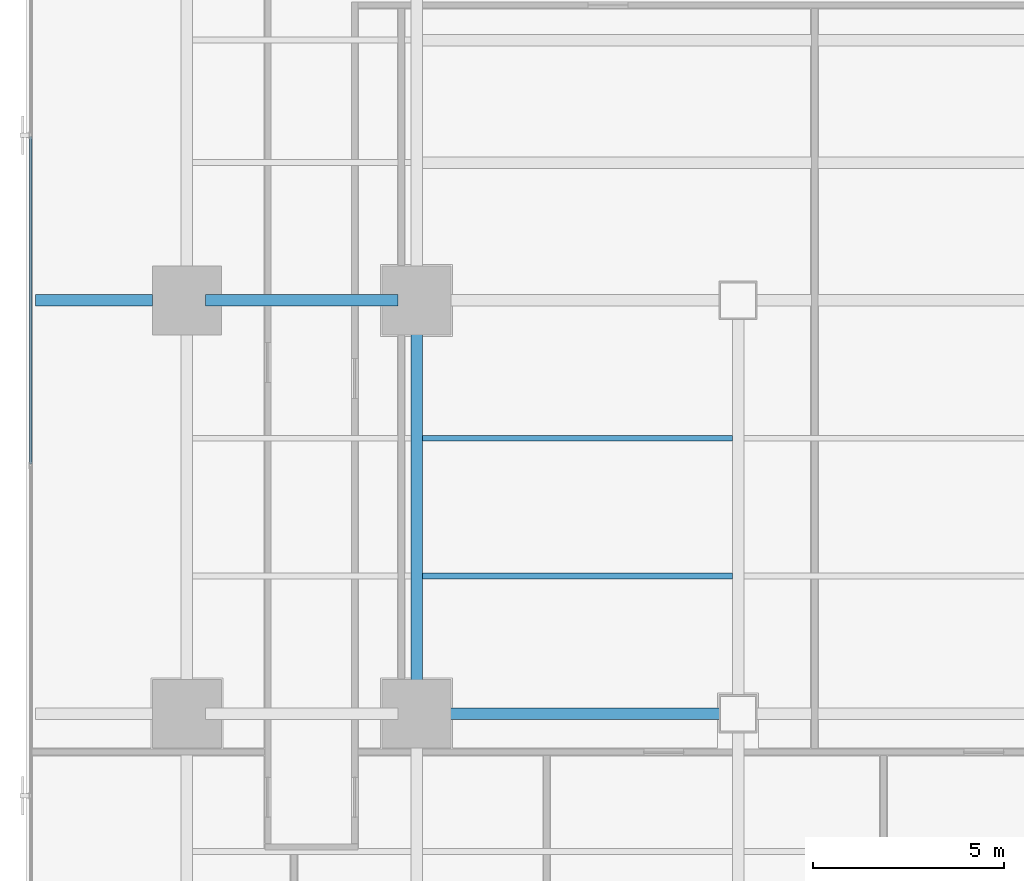
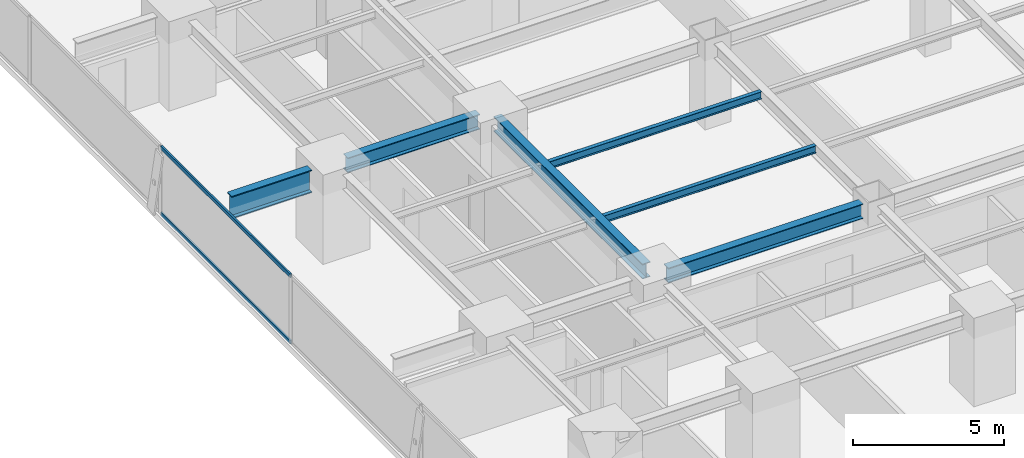
# One storey, part 8 of 34: 6 beams, 2 members, 1 element without a shape of its own.
"""IFC4 building model written with IfcOpenShell, lengths in metres."""

from ifc_helpers import new_model, si_unit, direction, frame, origin, origin_2d, place, context, subcontext, project, spatial, hollow_rectangle, i_section, extrude, source, transform, mapped, material, layer, layer_set, material_profile, profile_set, type_object, element, aggregate, save


model = new_model("IFC4")

# Units and contexts
model_context = context("Model", 3, precision=1e-05, world=origin(), true_north=direction((0.0, 1.0)))
body_context = subcontext(model_context, "Body", "Model", "MODEL_VIEW")
ifc_project = project(units=[si_unit("LENGTHUNIT", "METRE"), si_unit("AREAUNIT", "SQUARE_METRE"), si_unit("VOLUMEUNIT", "CUBIC_METRE"), si_unit("PLANEANGLEUNIT", "RADIAN"), si_unit("MASSUNIT", "GRAM", prefix="KILO")], contexts=[model_context])

# Site, building, storey
site_placement = place(None, origin())
site = spatial("IfcSite", under=ifc_project, at=site_placement, CompositionType="ELEMENT")
building_placement = place(site_placement, origin())
building = spatial("IfcBuilding", under=site, at=building_placement, Name="Sumidabori Civic Tower", CompositionType="ELEMENT")
storey_placement = place(building_placement, frame((0.0, 0.0, 56.0)))
storey = spatial("IfcBuildingStorey", under=building, at=storey_placement, Name="L14", CompositionType="ELEMENT", Elevation=56.0)

# Beams
ifc_material_1 = material(Name="Steel SN490", Category="steel")
ifc_material_profile_1 = material_profile(ifc_material_1, i_section(OverallWidth=0.300048828125, OverallDepth=0.60009765625, WebThickness=0.015380859375, FlangeThickness=0.030029296875, at=origin_2d()), Name="HE 600 B")
ifc_profile_set_1 = profile_set([ifc_material_profile_1], Name="Steel SN490")
beam_type_1 = type_object("IfcBeamType", Name="BM-GIRD-600", PredefinedType="BEAM", material=ifc_profile_set_1)
shared_shape_1 = source(origin(), body_context, "Body", "SweptSolid", [
    extrude(i_section(OverallWidth=0.300048828125, OverallDepth=0.60009765625, WebThickness=0.015380859375, FlangeThickness=0.030029296875, at=origin_2d()), origin(), (0.0, 0.0, 1.0), 5.0400390625),
])
beam_1_placement = place(storey_placement, frame((-22.320068359375, 0.0, 3.06005859375), z_axis=(1.0, 0.0, 0.0), x_axis=(0.0, 1.0, 0.0)))
element("IfcBeam", 1, at=beam_1_placement, inside=storey, type_object=beam_type_1, Name="Primary Girder L14 GX-13", PredefinedType="BEAM", context=body_context, shape_type="MappedRepresentation", body=[
    mapped(shared_shape_1, transform((0.0, 0.0, 0.0), x_axis=(1.0, 0.0, 0.0), y_axis=(0.0, 1.0, 0.0), z_axis=(0.0, 0.0, 1.0), scale=1.0)),
])
shared_shape_2 = source(origin(), body_context, "Body", "SweptSolid", [
    extrude(i_section(OverallWidth=0.300048828125, OverallDepth=0.60009765625, WebThickness=0.015380859375, FlangeThickness=0.030029296875, at=origin_2d()), origin(), (0.0, 0.0, 1.0), 7.440185546875),
])
beam_2_placement = place(storey_placement, frame((-16.320068359375, -10.800048828125, 3.06005859375), z_axis=(1.0, 0.0, 0.0), x_axis=(0.0, 1.0, 0.0)))
element("IfcBeam", 2, at=beam_2_placement, inside=storey, type_object=beam_type_1, Name="Primary Girder L14 GX-08", PredefinedType="BEAM", context=body_context, shape_type="MappedRepresentation", body=[
    mapped(shared_shape_2, transform((0.0, 0.0, 0.0), x_axis=(1.0, 0.0, 0.0), y_axis=(0.0, 1.0, 0.0), z_axis=(0.0, 0.0, 1.0), scale=1.0)),
])
shared_shape_3 = source(origin(), body_context, "Body", "SweptSolid", [
    extrude(i_section(OverallWidth=0.300048828125, OverallDepth=0.60009765625, WebThickness=0.015380859375, FlangeThickness=0.030029296875, at=origin_2d()), origin(), (0.0, 0.0, 1.0), 9.840087890625),
])
beam_3_placement = place(storey_placement, frame((-16.800048828125, -10.320068359375, 3.06005859375), z_axis=(0.0, 1.0, 0.0), x_axis=(-1.0, 0.0, 0.0)))
element("IfcBeam", 3, at=beam_3_placement, inside=storey, type_object=beam_type_1, Name="Primary Girder L14 GY-26", PredefinedType="BEAM", context=body_context, shape_type="MappedRepresentation", body=[
    mapped(shared_shape_3, transform((0.0, 0.0, 0.0), x_axis=(1.0, 0.0, 0.0), y_axis=(0.0, 1.0, 0.0), z_axis=(0.0, 0.0, 1.0), scale=1.0)),
])
ifc_material_profile_2 = material_profile(ifc_material_1, i_section(OverallWidth=0.302001953125, OverallDepth=0.909912109375, WebThickness=0.02099609375, FlangeThickness=0.0400390625, at=origin_2d()), Name="HE 900 M")
ifc_profile_set_2 = profile_set([ifc_material_profile_2], Name="Steel SN490")
beam_type_2 = type_object("IfcBeamType", Name="BM-Z1-EDGE", PredefinedType="SPANDREL", material=ifc_profile_set_2)
shared_shape_4 = source(origin(), body_context, "Body", "SweptSolid", [
    extrude(i_section(OverallWidth=0.302001953125, OverallDepth=0.909912109375, WebThickness=0.02099609375, FlangeThickness=0.0400390625, at=origin_2d()), origin(), (0.0, 0.0, 1.0), 3.050048828125),
])
beam_4_placement = place(storey_placement, frame((-26.75, 0.0, 2.905029296875), z_axis=(1.0, 0.0, 0.0), x_axis=(0.0, 1.0, 0.0)))
element("IfcBeam", 4, at=beam_4_placement, inside=storey, type_object=beam_type_2, Name="Perimeter Overhang Beam L14 W-46", PredefinedType="SPANDREL", context=body_context, shape_type="MappedRepresentation", body=[
    mapped(shared_shape_4, transform((0.0, 0.0, 0.0), x_axis=(1.0, 0.0, 0.0), y_axis=(0.0, 1.0, 0.0), z_axis=(0.0, 0.0, 1.0), scale=1.0)),
])
ifc_material_profile_3 = material_profile(ifc_material_1, i_section(OverallWidth=0.14990234375, OverallDepth=0.300048828125, WebThickness=0.007080078125, FlangeThickness=0.0107421875, at=origin_2d()), Name="IPE 300")
ifc_profile_set_3 = profile_set([ifc_material_profile_3], Name="Steel SN490")
beam_type_3 = type_object("IfcBeamType", Name="BM-JST-300", PredefinedType="JOIST", material=ifc_profile_set_3)
shared_shape_5 = source(origin(), body_context, "Body", "SweptSolid", [
    extrude(i_section(OverallWidth=0.14990234375, OverallDepth=0.300048828125, WebThickness=0.007080078125, FlangeThickness=0.0107421875, at=origin_2d()), origin(), (0.0, 0.0, 1.0), 8.099853515625),
])
for number, where, z_axis, x_axis, name in (
    (5, (-16.64990234375, -7.199951171875, 3.2099609375), (1.0, 0.0, 0.0), (0.0, 1.0, 0.0), "South Bay Floor Joist L14 JSTS-65"),
    (6, (-16.64990234375, -3.60009765625, 3.2099609375), (1.0, 0.0, 0.0), (0.0, 1.0, 0.0), "South Bay Floor Joist L14 JSTS-69"),
):
    element("IfcBeam", number, at=place(storey_placement, frame(where, z_axis=z_axis, x_axis=x_axis)), inside=storey, type_object=beam_type_3, Name=name, PredefinedType="JOIST", context=body_context, shape_type="MappedRepresentation", body=[
        mapped(shared_shape_5, transform((0.0, 0.0, 0.0), x_axis=(1.0, 0.0, 0.0), y_axis=(0.0, 1.0, 0.0), z_axis=(0.0, 0.0, 1.0), scale=1.0)),
    ])

# Curtain wall, members
ifc_material_2 = material(Name="Anodised Bronze Aluminium AW-6063-T6", Category="aluminium")
ifc_layer = layer(ifc_material_2, 0.179931640625, Name="Anodised Bronze Aluminium AW-6063-T6")
ifc_layer_set = layer_set([ifc_layer], Name="Anodised Bronze Aluminium AW-6063-T6")
curtain_wall_type = type_object("IfcCurtainWallType", Name="CW-SYS-2", PredefinedType="NOTDEFINED", material=ifc_layer_set)
curtain_wall_placement = place(storey_placement, origin())
curtain_wall = element("IfcCurtainWall", 7, at=curtain_wall_placement, inside=storey, type_object=curtain_wall_type, Name="Curtain Wall CW:L14:R10", PredefinedType="NOTDEFINED")
ifc_material_profile_4 = material_profile(ifc_material_2, hollow_rectangle(XDim=0.06494140625, YDim=0.14990234375, WallThickness=0.0048828125, at=origin_2d()), Name="ALU TRANSOM 150x65")
ifc_profile_set_4 = profile_set([ifc_material_profile_4], Name="Anodised Bronze Aluminium AW-6063-T6")
member_type = type_object("IfcMemberType", Name="CW-TRN-150", PredefinedType="USERDEFINED", material=ifc_profile_set_4)
shared_shape_6 = source(origin(), body_context, "Body", "SweptSolid", [
    extrude(hollow_rectangle(XDim=0.06494140625, YDim=0.14990234375, WallThickness=0.0048828125, at=origin_2d()), origin(), (0.0, 0.0, 1.0), 8.55810546875),
])
member_1_placement = place(storey_placement, frame((-26.8798828125, 4.279052734375, 0.032470703125), z_axis=(0.0, -1.0, 0.0), x_axis=(1.0, 0.0, 0.0)))
member_1 = element("IfcMember", 8, at=member_1_placement, type_object=member_type, Name="CW-2 transom 3.1", ObjectType="TRANSOM", PredefinedType="USERDEFINED", context=body_context, shape_type="MappedRepresentation", body=[
    mapped(shared_shape_6, transform((0.0, 0.0, 0.0), x_axis=(1.0, 0.0, 0.0), y_axis=(0.0, 1.0, 0.0), z_axis=(0.0, 0.0, 1.0), scale=1.0)),
])
member_2_placement = place(storey_placement, frame((-26.8798828125, 4.279052734375, 2.70751953125), z_axis=(0.0, -1.0, 0.0), x_axis=(1.0, 0.0, 0.0)))
member_2 = element("IfcMember", 9, at=member_2_placement, type_object=member_type, Name="CW-2 transom 3.2", ObjectType="TRANSOM", PredefinedType="USERDEFINED", context=body_context, shape_type="MappedRepresentation", body=[
    mapped(shared_shape_6, transform((0.0, 0.0, 0.0), x_axis=(1.0, 0.0, 0.0), y_axis=(0.0, 1.0, 0.0), z_axis=(0.0, 0.0, 1.0), scale=1.0)),
])
aggregate(curtain_wall, [member_1, member_2])

save(model, "model.ifc")
